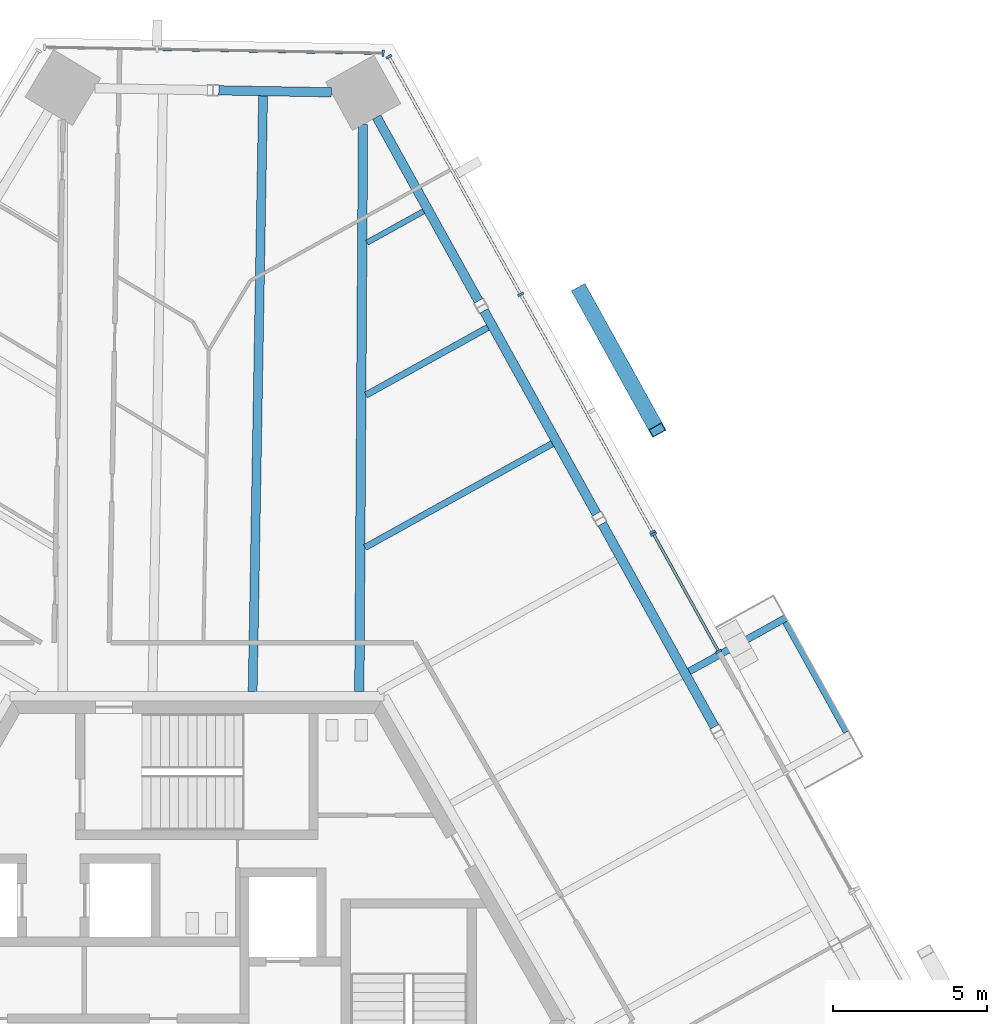
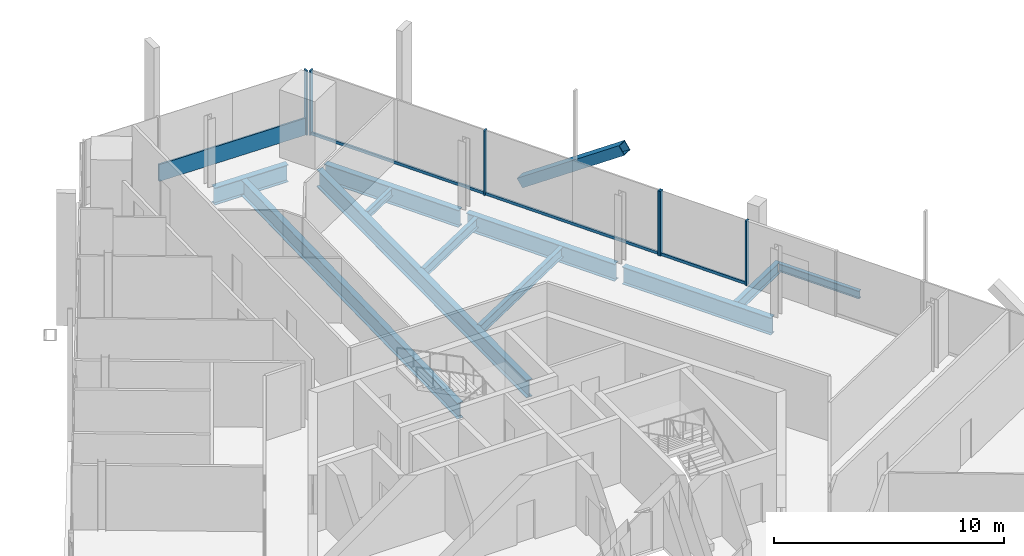
# One storey, part 9 of 21: 11 beams, 11 members, 3 elements without a shape of their own.
"""IFC4 building model written with IfcOpenShell, lengths in metres."""

from ifc_helpers import new_model, si_unit, direction, frame, origin, origin_2d, place, context, subcontext, project, spatial, rectangle, hollow_rectangle, i_section, extrude, source, transform, mapped, material, material_profile, profile_set, type_object, element, aggregate, save


model = new_model("IFC4")

# Units and contexts
model_context = context("Model", 3, precision=1e-05, world=origin(), true_north=direction((0.0, 1.0)))
body_context = subcontext(model_context, "Body", "Model", "MODEL_VIEW")
ifc_project = project(units=[si_unit("LENGTHUNIT", "METRE"), si_unit("AREAUNIT", "SQUARE_METRE"), si_unit("VOLUMEUNIT", "CUBIC_METRE"), si_unit("PLANEANGLEUNIT", "RADIAN"), si_unit("MASSUNIT", "GRAM", prefix="KILO")], contexts=[model_context])

# Site, building, storey
site_placement = place(None, origin())
site = spatial("IfcSite", under=ifc_project, at=site_placement, CompositionType="ELEMENT")
building_placement = place(site_placement, origin())
building = spatial("IfcBuilding", under=site, at=building_placement, Name="Triune Harvest Tower", CompositionType="ELEMENT")
storey_placement = place(building_placement, frame((0.0, 0.0, 187.10009765625)))
storey = spatial("IfcBuildingStorey", under=building, at=storey_placement, Name="L48", CompositionType="ELEMENT", Elevation=187.10009765625)

# Curtain wall, member
ifc_material_1 = material(Name="Aluminium bronze anodised", Category="aluminium")
curtain_wall_type_1 = type_object("IfcCurtainWallType", Name="CW-6 Balcony window wall", PredefinedType="NOTDEFINED", material=ifc_material_1)
curtain_wall_1_placement = place(storey_placement, origin())
curtain_wall_1 = element("IfcCurtainWall", 1, at=curtain_wall_1_placement, inside=storey, type_object=curtain_wall_type_1, Name="CW-6 B5-F1 L48 run 2")
ifc_material_2 = material(Name="Aluminium bronze anodised", Category="aluminium")
ifc_material_profile_1 = material_profile(ifc_material_2, rectangle(XDim=0.090087890625, YDim=0.14990234375, at=origin_2d()), Name="TR-6 transom 90 x 150")
ifc_profile_set_1 = profile_set([ifc_material_profile_1], Name="Aluminium bronze anodised")
member_type_1 = type_object("IfcMemberType", Name="TR-6 transom 90 x 150", PredefinedType="USERDEFINED", material=ifc_profile_set_1)
member_1_placement = place(storey_placement, frame((16.966796875, 12.040771484375, 0.074951171875), z_axis=(-0.48480245926, 0.874623676501, 0.0), x_axis=(-0.874623676501, -0.48480245926, 0.0)))
member_1 = element("IfcMember", 2, at=member_1_placement, type_object=member_type_1, Name="CW-6 transom B5-F1 2.1", ObjectType="TRANSOM", PredefinedType="USERDEFINED", context=body_context, shape_type="SweptSolid", body=[
    extrude(rectangle(XDim=0.090087890625, YDim=0.14990234375, at=origin_2d()), origin(), (0.0, 0.0, 1.0), 4.29248046875),
])

# Beams
ifc_material_3 = material(Name="Steel ASTM A992 Gr 50", Category="steel")
ifc_material_profile_2 = material_profile(ifc_material_3, i_section(OverallWidth=0.3046875, OverallDepth=0.914306640625, WebThickness=0.0166015625, FlangeThickness=0.02587890625, at=origin_2d()), Name="W36x160")
ifc_profile_set_2 = profile_set([ifc_material_profile_2], Name="Steel ASTM A992 Gr 50")
beam_type_1 = type_object("IfcBeamType", Name="SB-1 Spandrel beam W36x160", PredefinedType="SPANDREL", material=ifc_profile_set_2)
shared_shape_1 = source(origin(), body_context, "Body", "SweptSolid", [
    extrude(i_section(OverallWidth=0.3046875, OverallDepth=0.914306640625, WebThickness=0.0166015625, FlangeThickness=0.02587890625, at=origin_2d()), origin(), (0.0, 0.0, 1.0), 6.841796875),
])
beam_1_placement = place(storey_placement, frame((9.16943359375, 23.421875, -0.6171875), z_axis=(-0.484833781575, 0.87460631386, 0.0), x_axis=(-0.87460631386, -0.484833781575, 0.0)))
element("IfcBeam", 3, at=beam_1_placement, inside=storey, type_object=beam_type_1, Name="beam/L48/SB6", PredefinedType="SPANDREL", context=body_context, shape_type="MappedRepresentation", body=[
    mapped(shared_shape_1, transform((0.0, 0.0, 0.0), scale=1.0)),
])
shared_shape_2 = source(origin(), body_context, "Body", "SweptSolid", [
    extrude(i_section(OverallWidth=0.3046875, OverallDepth=0.914306640625, WebThickness=0.0166015625, FlangeThickness=0.02587890625, at=origin_2d()), origin(), (0.0, 0.0, 1.0), 7.556396484375),
])
for number, where, z_axis, x_axis, name in (
    (4, (16.855712890625, 9.555419921875, -0.6171875), (-0.484806011206, 0.874621707654, 0.0), (-0.874621707654, -0.484806011206, 0.0), "beam/L48/SB4"),
    (5, (13.0126953125, 16.488525390625, -0.6171875), (-0.484830726301, 0.874608007529, 0.0), (-0.874608007529, -0.484830726301, 0.0), "beam/L48/SB5"),
):
    element("IfcBeam", number, at=place(storey_placement, frame(where, z_axis=z_axis, x_axis=x_axis)), inside=storey, type_object=beam_type_1, Name=name, PredefinedType="SPANDREL", context=body_context, shape_type="MappedRepresentation", body=[
        mapped(shared_shape_2, transform((0.0, 0.0, 0.0), scale=1.0)),
    ])
shared_shape_3 = source(origin(), body_context, "Body", "SweptSolid", [
    extrude(i_section(OverallWidth=0.3046875, OverallDepth=0.914306640625, WebThickness=0.0166015625, FlangeThickness=0.02587890625, at=origin_2d()), origin(), (0.0, 0.0, 1.0), 3.66357421875),
])
beam_2_placement = place(storey_placement, frame((4.376953125, 30.211181640625, -0.6171875), z_axis=(-0.999847573959, 0.017459348466, 0.0), x_axis=(-0.017459348466, -0.999847573959, 0.0)))
element("IfcBeam", 6, at=beam_2_placement, inside=storey, type_object=beam_type_1, Name="beam/L48/SB7", PredefinedType="SPANDREL", context=body_context, shape_type="MappedRepresentation", body=[
    mapped(shared_shape_3, transform((0.0, 0.0, 0.0), scale=1.0)),
])
ifc_material_4 = material(Name="Steel ASTM A992 Gr 50", Category="steel")
ifc_material_profile_3 = material_profile(ifc_material_4, i_section(OverallWidth=0.307373046875, OverallDepth=0.922119140625, WebThickness=0.018310546875, FlangeThickness=0.030029296875, at=origin_2d()), Name="W36x182")
ifc_profile_set_3 = profile_set([ifc_material_profile_3], Name="Steel ASTM A992 Gr 50")
beam_type_2 = type_object("IfcBeamType", Name="HG-2 Hip girder W36x182", PredefinedType="BEAM", material=ifc_profile_set_3)
shared_shape_4 = source(origin(), body_context, "Body", "SweptSolid", [
    extrude(i_section(OverallWidth=0.307373046875, OverallDepth=0.922119140625, WebThickness=0.018310546875, FlangeThickness=0.030029296875, at=origin_2d()), origin(), (0.0, 0.0, 1.0), 18.463623046875),
])
beam_3_placement = place(storey_placement, frame((5.409423828125, 29.16015625, -0.62109375), z_axis=(-0.006518869748, -0.999978751943, 0.0), x_axis=(0.999978751943, -0.006518869748, 0.0)))
element("IfcBeam", 7, at=beam_3_placement, inside=storey, type_object=beam_type_2, Name="beam/L48/HG3", PredefinedType="BEAM", context=body_context, shape_type="MappedRepresentation", body=[
    mapped(shared_shape_4, transform((0.0, 0.0, 0.0), scale=1.0)),
])
ifc_material_5 = material(Name="Steel ASTM A992 Gr 50", Category="steel")
ifc_material_profile_4 = material_profile(ifc_material_5, i_section(OverallWidth=0.2099609375, OverallDepth=0.535888671875, WebThickness=0.010986328125, FlangeThickness=0.017333984375, at=origin_2d()), Name="W21x68")
ifc_profile_set_4 = profile_set([ifc_material_profile_4], Name="Steel ASTM A992 Gr 50")
beam_type_3 = type_object("IfcBeamType", Name="JT-2 Floor joist W21x68", PredefinedType="JOIST", material=ifc_profile_set_4)
shared_shape_5 = source(origin(), body_context, "Body", "SweptSolid", [
    extrude(i_section(OverallWidth=0.2099609375, OverallDepth=0.535888671875, WebThickness=0.010986328125, FlangeThickness=0.017333984375, at=origin_2d()), origin(), (0.0, 0.0, 1.0), 6.97265625),
])
beam_4_placement = place(storey_placement, frame((11.57177734375, 18.773681640625, -0.427978515625), z_axis=(-0.874620980943, -0.484807322236, 0.0), x_axis=(0.484807322236, -0.874620980943, 0.0)))
element("IfcBeam", 8, at=beam_4_placement, inside=storey, type_object=beam_type_3, Name="beam/L48/JT8", PredefinedType="JOIST", context=body_context, shape_type="MappedRepresentation", body=[
    mapped(shared_shape_5, transform((0.0, 0.0, 0.0), scale=1.0)),
])
shared_shape_6 = source(origin(), body_context, "Body", "SweptSolid", [
    extrude(i_section(OverallWidth=0.2099609375, OverallDepth=0.535888671875, WebThickness=0.010986328125, FlangeThickness=0.017333984375, at=origin_2d()), origin(), (0.0, 0.0, 1.0), 4.538818359375),
])
beam_5_placement = place(storey_placement, frame((9.475341796875, 22.555419921875, -0.427978515625), z_axis=(-0.874621193693, -0.484806938423, 0.0), x_axis=(0.484806938423, -0.874621193693, 0.0)))
element("IfcBeam", 9, at=beam_5_placement, inside=storey, type_object=beam_type_3, Name="beam/L48/JT9", PredefinedType="JOIST", context=body_context, shape_type="MappedRepresentation", body=[
    mapped(shared_shape_6, transform((0.0, 0.0, 0.0), scale=1.0)),
])
ifc_material_6 = material(Name="Steel ASTM A992 Gr 50", Category="steel")
ifc_material_profile_5 = material_profile(ifc_material_6, i_section(OverallWidth=0.180908203125, OverallDepth=0.41650390625, WebThickness=0.010986328125, FlangeThickness=0.01806640625, at=origin_2d()), Name="W16x57")
ifc_profile_set_5 = profile_set([ifc_material_profile_5], Name="Steel ASTM A992 Gr 50")
beam_type_4 = type_object("IfcBeamType", Name="JT-1 Floor joist W16x57", PredefinedType="JOIST", material=ifc_profile_set_5)
shared_shape_7 = source(origin(), body_context, "Body", "SweptSolid", [
    extrude(i_section(OverallWidth=0.180908203125, OverallDepth=0.41650390625, WebThickness=0.010986328125, FlangeThickness=0.01806640625, at=origin_2d()), origin(), (0.0, 0.0, 1.0), 2.10498046875),
])
beam_6_placement = place(storey_placement, frame((7.379150390625, 26.33740234375, -0.368408203125), z_axis=(-0.874621898411, -0.484805667067, 0.0), x_axis=(0.484805667067, -0.874621898411, 0.0)))
element("IfcBeam", 10, at=beam_6_placement, inside=storey, type_object=beam_type_4, Name="beam/L48/JT10", PredefinedType="JOIST", context=body_context, shape_type="MappedRepresentation", body=[
    mapped(shared_shape_7, transform((0.0, 0.0, 0.0), scale=1.0)),
])
ifc_material_7 = material(Name="Steel ASTM A992 Gr 50", Category="steel")
ifc_material_profile_6 = material_profile(ifc_material_7, i_section(OverallWidth=0.2919921875, OverallDepth=0.8408203125, WebThickness=0.0146484375, FlangeThickness=0.021728515625, at=origin_2d()), Name="W33x130")
ifc_profile_set_6 = profile_set([ifc_material_profile_6], Name="Steel ASTM A992 Gr 50")
beam_type_5 = type_object("IfcBeamType", Name="JT-6 Floor joist W33x130", PredefinedType="JOIST", material=ifc_profile_set_6)
shared_shape_8 = source(origin(), body_context, "Body", "SweptSolid", [
    extrude(i_section(OverallWidth=0.2919921875, OverallDepth=0.8408203125, WebThickness=0.0146484375, FlangeThickness=0.021728515625, at=origin_2d()), origin(), (0.0, 0.0, 1.0), 19.403564453125),
])
beam_7_placement = place(storey_placement, frame((2.155029296875, 30.09765625, -0.58056640625), z_axis=(-0.017451567023, -0.999847709808, 0.0), x_axis=(0.999847709808, -0.017451567023, 0.0)))
element("IfcBeam", 11, at=beam_7_placement, inside=storey, type_object=beam_type_5, Name="beam/L48/JT11", PredefinedType="JOIST", context=body_context, shape_type="MappedRepresentation", body=[
    mapped(shared_shape_8, transform((0.0, 0.0, 0.0), scale=1.0)),
])

# Member
ifc_material_8 = material(Name="Steel ASTM A572 Gr 50", Category="steel")
ifc_material_profile_7 = material_profile(ifc_material_8, hollow_rectangle(XDim=0.5, YDim=0.5, WallThickness=0.030029296875, at=origin_2d()), Name="Box 500x500x30")
ifc_profile_set_7 = profile_set([ifc_material_profile_7], Name="Steel ASTM A572 Gr 50")
member_type_2 = type_object("IfcMemberType", Name="BR-3 Brace Box 500x500x30", PredefinedType="BRACE", material=ifc_profile_set_7)
shared_shape_9 = source(origin(), body_context, "Body", "SweptSolid", [
    extrude(hollow_rectangle(XDim=0.5, YDim=0.5, WallThickness=0.030029296875, at=origin_2d()), origin(), (0.0, 0.0, 1.0), 6.302734375),
])
member_2_placement = place(storey_placement, frame((12.48193359375, 23.741455078125, 0.0), z_axis=(0.397933648713, -0.717930715979, 0.571160483819), x_axis=(0.874630991711, 0.484789261781, 0.0)))
element("IfcMember", 12, at=member_2_placement, inside=storey, type_object=member_type_2, Name="brace/B5-F1/d2/3", PredefinedType="BRACE", context=body_context, shape_type="MappedRepresentation", body=[
    mapped(shared_shape_9, transform((0.0, 0.0, 0.0), scale=1.0)),
])

# Curtain wall, member
ifc_material_9 = material(Name="Aluminium bronze anodised", Category="aluminium")
curtain_wall_type_2 = type_object("IfcCurtainWallType", Name="CW-1 Tower stick curtain wall", PredefinedType="NOTDEFINED", material=ifc_material_9)
curtain_wall_2_placement = place(storey_placement, origin())
curtain_wall_2 = element("IfcCurtainWall", 13, at=curtain_wall_2_placement, inside=storey, type_object=curtain_wall_type_2, Name="CW-1 B5-F2 L48 run 1")
ifc_material_10 = material(Name="Aluminium bronze anodised", Category="aluminium")
ifc_material_profile_8 = material_profile(ifc_material_10, rectangle(XDim=0.199951171875, YDim=0.074951171875, at=origin_2d()), Name="MU-1 mullion 75 x 200")
ifc_profile_set_8 = profile_set([ifc_material_profile_8], Name="Aluminium bronze anodised")
member_type_3 = type_object("IfcMemberType", Name="MU-1 mullion 75 x 200", PredefinedType="MULLION", material=ifc_profile_set_8)
shared_shape_10 = source(origin(), body_context, "Body", "SweptSolid", [
    extrude(rectangle(XDim=0.199951171875, YDim=0.074951171875, at=origin_2d()), origin(), (0.0, 0.0, 1.0), 3.43994140625),
])
member_3_placement = place(storey_placement, frame((6.06298828125, 31.484130859375, 0.0), z_axis=(0.0, 0.0, 1.0), x_axis=(-0.017446318452, -0.999847801404, 0.0)))
member_3 = element("IfcMember", 14, at=member_3_placement, type_object=member_type_3, Name="CW-1 mullion B5-F2 1.1", PredefinedType="MULLION", context=body_context, shape_type="MappedRepresentation", body=[
    mapped(shared_shape_10, transform((0.0, 0.0, 0.0), scale=1.0)),
])

# Member
ifc_material_11 = material(Name="Aluminium bronze anodised", Category="aluminium")
ifc_material_profile_9 = material_profile(ifc_material_11, rectangle(XDim=0.199951171875, YDim=0.074951171875, at=origin_2d()), Name="MU-6 mullion 75 x 200")
ifc_profile_set_9 = profile_set([ifc_material_profile_9], Name="Aluminium bronze anodised")
member_type_4 = type_object("IfcMemberType", Name="MU-6 mullion 75 x 200", PredefinedType="MULLION", material=ifc_profile_set_9)
shared_shape_11 = source(origin(), body_context, "Body", "SweptSolid", [
    extrude(rectangle(XDim=0.199951171875, YDim=0.074951171875, at=origin_2d()), origin(), (0.0, 0.0, 1.0), 3.43994140625),
])
member_4_placement = place(storey_placement, frame((16.985107421875, 12.0078125, 0.0), z_axis=(0.0, 0.0, 1.0), x_axis=(-0.874615946761, -0.484816404086, 0.0)))
member_4 = element("IfcMember", 15, at=member_4_placement, type_object=member_type_4, Name="CW-6 mullion B5-F1 2.1", PredefinedType="MULLION", context=body_context, shape_type="MappedRepresentation", body=[
    mapped(shared_shape_11, transform((0.0, 0.0, 0.0), scale=1.0)),
])

member_5_placement = place(storey_placement, frame((14.86767578125, 15.827880859375, 0.0), z_axis=(0.0, 0.0, 1.0), x_axis=(-0.874615946761, -0.484816404086, 0.0)))
member_5 = element("IfcMember", 16, at=member_5_placement, type_object=member_type_4, Name="CW-6 mullion B5-F1 2.2", PredefinedType="MULLION", context=body_context, shape_type="MappedRepresentation", body=[
    mapped(shared_shape_11, transform((0.0, 0.0, 0.0), scale=1.0)),
])

aggregate(curtain_wall_1, [member_4, member_5, member_1])

# Curtain wall, members
ifc_material_12 = material(Name="Aluminium bronze anodised", Category="aluminium")
curtain_wall_type_3 = type_object("IfcCurtainWallType", Name="CW-10 Balcony window wall with insulated spandrel infill", PredefinedType="NOTDEFINED", material=ifc_material_12)
curtain_wall_3_placement = place(storey_placement, origin())
curtain_wall_3 = element("IfcCurtainWall", 17, at=curtain_wall_3_placement, inside=storey, type_object=curtain_wall_type_3, Name="CW-10 B5-F1 L48 run 1002")
member_6_placement = place(storey_placement, frame((14.831298828125, 15.8935546875, 0.0), z_axis=(0.0, 0.0, 1.0), x_axis=(-0.874621435172, -0.48480650278, 0.0)))
member_6 = element("IfcMember", 18, at=member_6_placement, type_object=member_type_4, Name="CW-10 mullion B5-F1 1002.1", PredefinedType="MULLION", context=body_context, shape_type="MappedRepresentation", body=[
    mapped(shared_shape_11, transform((0.0, 0.0, 0.0), scale=1.0)),
])
member_7_placement = place(storey_placement, frame((10.541748046875, 23.6318359375, 0.0), z_axis=(0.0, 0.0, 1.0), x_axis=(-0.874621435172, -0.48480650278, 0.0)))
member_7 = element("IfcMember", 19, at=member_7_placement, type_object=member_type_4, Name="CW-10 mullion B5-F1 1002.3", PredefinedType="MULLION", context=body_context, shape_type="MappedRepresentation", body=[
    mapped(shared_shape_11, transform((0.0, 0.0, 0.0), scale=1.0)),
])
member_8_placement = place(storey_placement, frame((6.252197265625, 31.370361328125, 0.0), z_axis=(0.0, 0.0, 1.0), x_axis=(-0.874621435172, -0.48480650278, 0.0)))
member_8 = element("IfcMember", 20, at=member_8_placement, type_object=member_type_4, Name="CW-10 mullion B5-F1 1002.5", PredefinedType="MULLION", context=body_context, shape_type="MappedRepresentation", body=[
    mapped(shared_shape_11, transform((0.0, 0.0, 0.0), scale=1.0)),
])

# Beam
ifc_material_13 = material(Name="Steel ASTM A992 Gr 50", Category="steel")
ifc_material_profile_10 = material_profile(ifc_material_13, i_section(OverallWidth=0.22900390625, OverallDepth=0.612060546875, WebThickness=0.011962890625, FlangeThickness=0.01953125, at=origin_2d()), Name="W24x84")
ifc_profile_set_10 = profile_set([ifc_material_profile_10], Name="Steel ASTM A992 Gr 50")
beam_type_6 = type_object("IfcBeamType", Name="BJ-3 Balcony cantilever joist W24x84", PredefinedType="JOIST", material=ifc_profile_set_10)
shared_shape_12 = source(origin(), body_context, "Body", "SweptSolid", [
    extrude(i_section(OverallWidth=0.22900390625, OverallDepth=0.612060546875, WebThickness=0.011962890625, FlangeThickness=0.01953125, at=origin_2d()), origin(), (0.0, 0.0, 1.0), 3.59765625),
])
beam_8_placement = place(storey_placement, frame((16.031005859375, 11.35791015625, -0.46630859375), z_axis=(0.87461783831, 0.484812991689, 0.0), x_axis=(-0.484812991689, 0.87461783831, 0.0)))
element("IfcBeam", 21, at=beam_8_placement, inside=storey, type_object=beam_type_6, Name="Balcony cantilever joist B5-F1 L48.6a", PredefinedType="JOIST", context=body_context, shape_type="MappedRepresentation", body=[
    mapped(shared_shape_12, transform((0.0, 0.0, 0.0), scale=1.0)),
])

# Member
ifc_material_14 = material(Name="Aluminium bronze anodised", Category="aluminium")
ifc_material_profile_11 = material_profile(ifc_material_14, rectangle(XDim=0.090087890625, YDim=0.89990234375, at=origin_2d()), Name="TR-1 transom 90 x 900")
ifc_profile_set_11 = profile_set([ifc_material_profile_11], Name="Aluminium bronze anodised")
member_type_5 = type_object("IfcMemberType", Name="TR-1 transom 90 x 900", PredefinedType="USERDEFINED", material=ifc_profile_set_11)
shared_shape_13 = source(origin(), body_context, "Body", "SweptSolid", [
    extrude(rectangle(XDim=0.090087890625, YDim=0.89990234375, at=origin_2d()), origin(), (0.0, 0.0, 1.0), 7.287841796875),
])
member_9_placement = place(storey_placement, frame((6.025634765625, 31.48486328125, 0.449951171875), z_axis=(-0.999848258084, 0.017420126456, 0.0), x_axis=(-0.017420126456, -0.999848258084, 0.0)))
member_9 = element("IfcMember", 22, at=member_9_placement, type_object=member_type_5, Name="CW-1 transom B5-F2 1.1", ObjectType="TRANSOM", PredefinedType="USERDEFINED", context=body_context, shape_type="MappedRepresentation", body=[
    mapped(shared_shape_13, transform((0.0, 0.0, 0.0), scale=1.0)),
])

aggregate(curtain_wall_2, [member_3, member_9])

shared_shape_14 = source(origin(), body_context, "Body", "SweptSolid", [
    extrude(rectangle(XDim=0.090087890625, YDim=0.14990234375, at=origin_2d()), origin(), (0.0, 0.0, 1.0), 8.772705078125),
])
member_10_placement = place(storey_placement, frame((14.81298828125, 15.92626953125, 0.074951171875), z_axis=(-0.484792059891, 0.874629440773, 0.0), x_axis=(-0.874629440773, -0.484792059891, 0.0)))
member_10 = element("IfcMember", 23, at=member_10_placement, type_object=member_type_1, Name="CW-10 transom B5-F1 1002.1", ObjectType="TRANSOM", PredefinedType="USERDEFINED", context=body_context, shape_type="MappedRepresentation", body=[
    mapped(shared_shape_14, transform((0.0, 0.0, 0.0), scale=1.0)),
])

member_11_placement = place(storey_placement, frame((10.523681640625, 23.664794921875, 0.074951171875), z_axis=(-0.484813348474, 0.874617640539, 0.0), x_axis=(-0.874617640539, -0.484813348474, 0.0)))
member_11 = element("IfcMember", 24, at=member_11_placement, type_object=member_type_1, Name="CW-10 transom B5-F1 1002.2", ObjectType="TRANSOM", PredefinedType="USERDEFINED", context=body_context, shape_type="MappedRepresentation", body=[
    mapped(shared_shape_14, transform((0.0, 0.0, 0.0), scale=1.0)),
])

aggregate(curtain_wall_3, [member_6, member_7, member_8, member_10, member_11])

# Beam
ifc_material_15 = material(Name="Steel ASTM A992 Gr 50", Category="steel")
ifc_material_profile_12 = material_profile(ifc_material_15, i_section(OverallWidth=0.180908203125, OverallDepth=0.41650390625, WebThickness=0.010986328125, FlangeThickness=0.01806640625, at=origin_2d()), Name="W16x57")
ifc_profile_set_12 = profile_set([ifc_material_profile_12], Name="Steel ASTM A992 Gr 50")
beam_type_7 = type_object("IfcBeamType", Name="BE-1 balcony edge beam W16x57", PredefinedType="BEAM", material=ifc_profile_set_12)
shared_shape_15 = source(origin(), body_context, "Body", "SweptSolid", [
    extrude(i_section(OverallWidth=0.180908203125, OverallDepth=0.41650390625, WebThickness=0.010986328125, FlangeThickness=0.01806640625, at=origin_2d()), origin(), (0.0, 0.0, 1.0), 4.0947265625),
])
beam_9_placement = place(storey_placement, frame((19.15380859375, 12.9580078125, -0.368408203125), z_axis=(0.484847954912, -0.874598456789, 0.0), x_axis=(0.874598456789, 0.484847954912, 0.0)))
element("IfcBeam", 25, at=beam_9_placement, inside=storey, type_object=beam_type_7, Name="Balcony edge beam B5-F1 L48.6", PredefinedType="BEAM", context=body_context, shape_type="MappedRepresentation", body=[
    mapped(shared_shape_15, transform((0.0, 0.0, 0.0), scale=1.0)),
])

save(model, "model.ifc")
